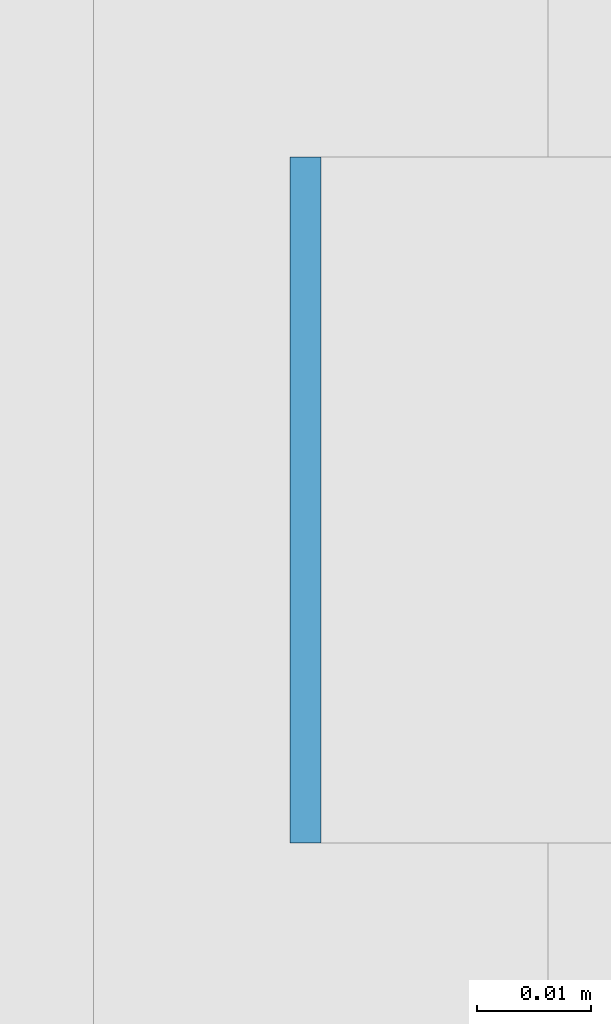
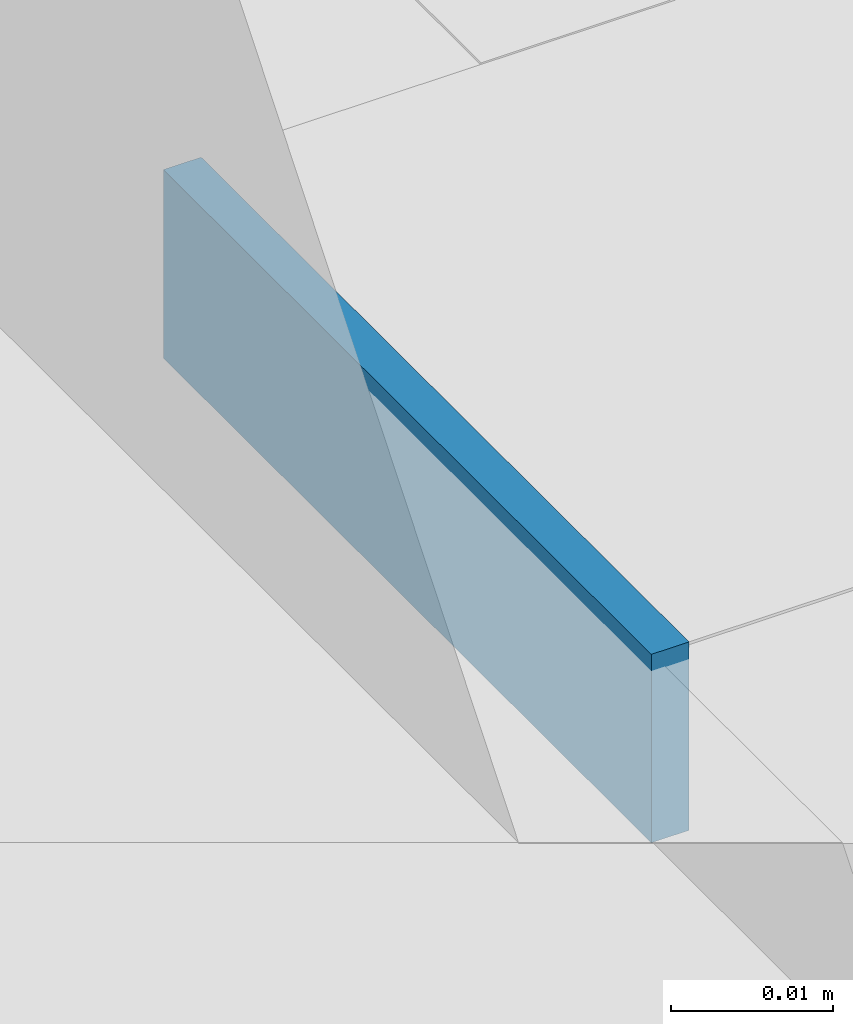
# One storey, part 479 of 646: 1 discrete accessory.
"""IFC4 building model written with IfcOpenShell, lengths in metres."""

from ifc_helpers import new_model, si_unit, direction, frame, origin, origin_2d, place, context, subcontext, project, spatial, rectangle, extrude, material, type_object, element, save


model = new_model("IFC4")

# Units and contexts
model_context = context("Model", 3, precision=1e-05, world=origin(), true_north=direction((0.0, 1.0)))
body_context = subcontext(model_context, "Body", "Model", "MODEL_VIEW")
ifc_project = project(units=[si_unit("LENGTHUNIT", "METRE"), si_unit("AREAUNIT", "SQUARE_METRE"), si_unit("VOLUMEUNIT", "CUBIC_METRE"), si_unit("PLANEANGLEUNIT", "RADIAN"), si_unit("MASSUNIT", "GRAM", prefix="KILO")], contexts=[model_context])

# Site, building, storey
site_placement = place(None, origin())
site = spatial("IfcSite", under=ifc_project, at=site_placement, CompositionType="ELEMENT")
building_placement = place(site_placement, origin())
building = spatial("IfcBuilding", under=site, at=building_placement, Name="Silverbay Arena", CompositionType="ELEMENT")
storey_placement = place(building_placement, frame((0.0, 0.0, 33.5)))
storey = spatial("IfcBuildingStorey", under=building, at=storey_placement, Name="L05", CompositionType="ELEMENT", Elevation=33.5)

# Discrete accessory
ifc_material = material(Name="Steel S355", Category="steel")
discrete_accessory_type = type_object("IfcDiscreteAccessoryType", Name="Steel bracket plate", PredefinedType="BRACKET", material=ifc_material)
discrete_accessory_placement = place(storey_placement, frame((207.128662109375, 55.28564453125, 12.98583984375), z_axis=(0.0, 0.0, 1.0), x_axis=(1.0, 0.0, 0.0)))
element("IfcDiscreteAccessory", 1, at=discrete_accessory_placement, inside=storey, type_object=discrete_accessory_type, Name="Curtain wall packing plate", PredefinedType="BRACKET", context=body_context, shape_type="SweptSolid", body=[
    extrude(rectangle(XDim=0.002685546875, YDim=0.06005859375, at=origin_2d()), origin(), (0.0, 0.0, 1.0), 0.01416015625),
])

save(model, "model.ifc")
